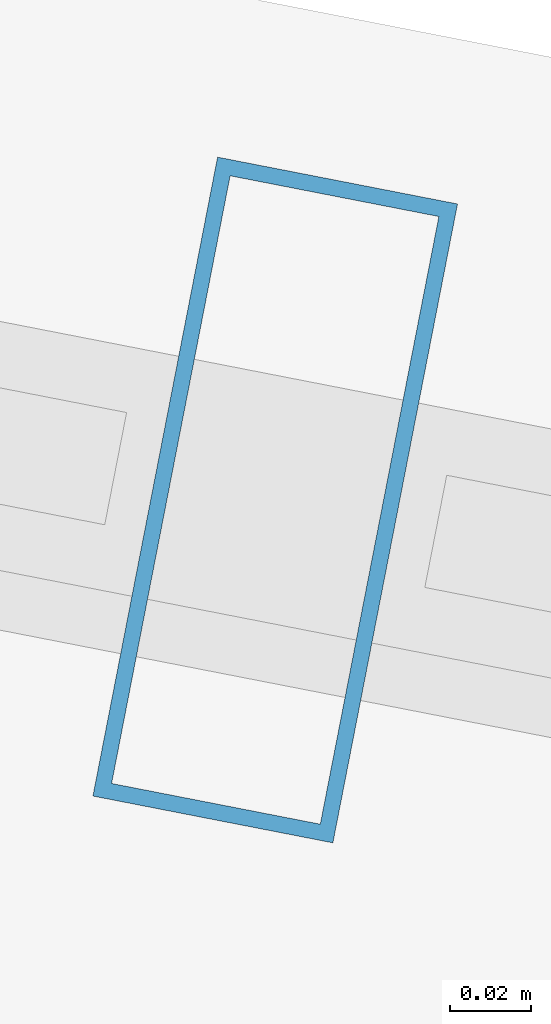
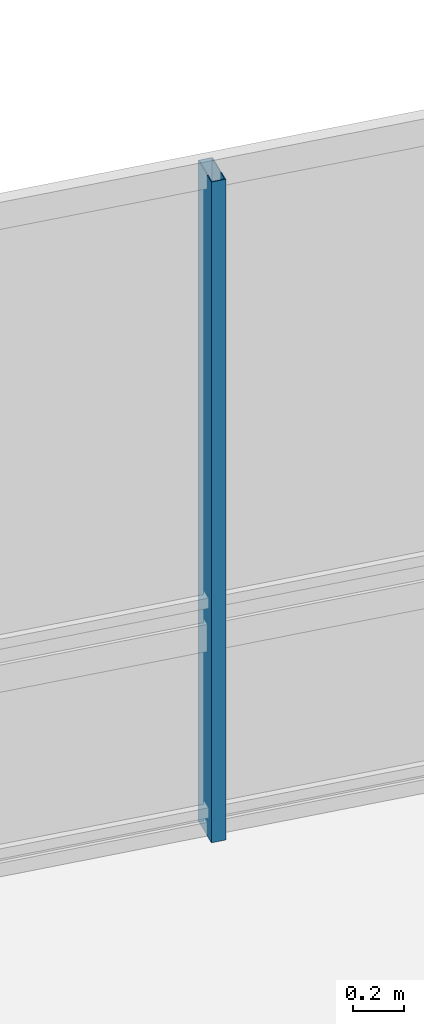
# One storey, part 21 of 33: 1 member, 1 element without a shape of its own.
"""IFC4 building model written with IfcOpenShell, lengths in metres."""

from ifc_helpers import new_model, si_unit, direction, frame, origin, origin_2d, place, context, subcontext, project, spatial, hollow_rectangle, extrude, material, layer, layer_set, material_profile, profile_set, type_object, element, aggregate, save


model = new_model("IFC4")

# Units and contexts
model_context = context("Model", 3, precision=1e-05, world=origin(), true_north=direction((0.0, 1.0)))
body_context = subcontext(model_context, "Body", "Model", "MODEL_VIEW")
ifc_project = project(units=[si_unit("LENGTHUNIT", "METRE"), si_unit("AREAUNIT", "SQUARE_METRE"), si_unit("VOLUMEUNIT", "CUBIC_METRE"), si_unit("PLANEANGLEUNIT", "RADIAN"), si_unit("MASSUNIT", "GRAM", prefix="KILO")], contexts=[model_context])

# Site, building, storey
site_placement = place(None, origin())
site = spatial("IfcSite", under=ifc_project, at=site_placement, CompositionType="ELEMENT")
building_placement = place(site_placement, origin())
building = spatial("IfcBuilding", under=site, at=building_placement, Name="Qarnah Convention Tower", CompositionType="ELEMENT")
storey_placement = place(building_placement, frame((0.0, 0.0, 27.0)))
storey = spatial("IfcBuildingStorey", under=building, at=storey_placement, Name="L05", CompositionType="ELEMENT", Elevation=27.0)

# Curtain wall, member
ifc_material_1 = material(Name="Tempered Low-E dark glass", Category="glass")
ifc_layer = layer(ifc_material_1, 0.16796875)
ifc_layer_set = layer_set([ifc_layer], Name="Tempered Low-E dark glass")
curtain_wall_type = type_object("IfcCurtainWallType", Name="CWS-01", PredefinedType="NOTDEFINED", material=ifc_layer_set)
curtain_wall_placement = place(storey_placement, origin())
curtain_wall = element("IfcCurtainWall", 1, at=curtain_wall_placement, inside=storey, type_object=curtain_wall_type, Name="L05 unitised curtain wall CW-L05-F2", PredefinedType="NOTDEFINED")
ifc_material_2 = material(Name="Black anodised aluminium", Category="aluminium")
ifc_material_profile = material_profile(ifc_material_2, hollow_rectangle(XDim=0.06005859375, YDim=0.159912109375, WallThickness=0.00390625, at=origin_2d()), Name="MUL-60X160")
ifc_profile_set = profile_set([ifc_material_profile], Name="Black anodised aluminium")
member_type = type_object("IfcMemberType", Name="MUL-T1", PredefinedType="MULLION", material=ifc_profile_set)
member_placement = place(storey_placement, frame((31.602294921875, 46.9912109375, 0.0), z_axis=(0.0, 0.0, 1.0), x_axis=(0.981495298553, -0.191486236892, 0.0)))
member = element("IfcMember", 2, at=member_placement, type_object=member_type, Name="CW-L05-F2 mullion 2", PredefinedType="MULLION", context=body_context, shape_type="SweptSolid", body=[
    extrude(hollow_rectangle(XDim=0.06005859375, YDim=0.159912109375, WallThickness=0.00390625, at=origin_2d()), origin(), (0.0, 0.0, 1.0), 3.169921875),
])
aggregate(curtain_wall, [member])

save(model, "model.ifc")
